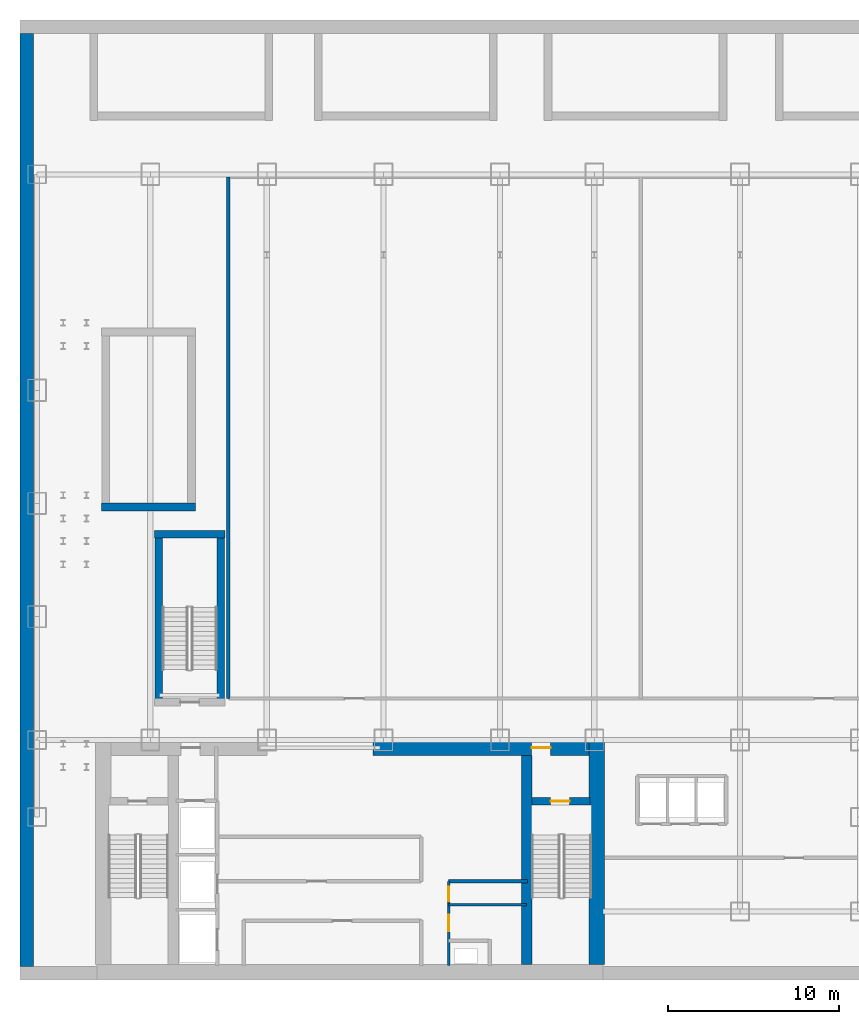
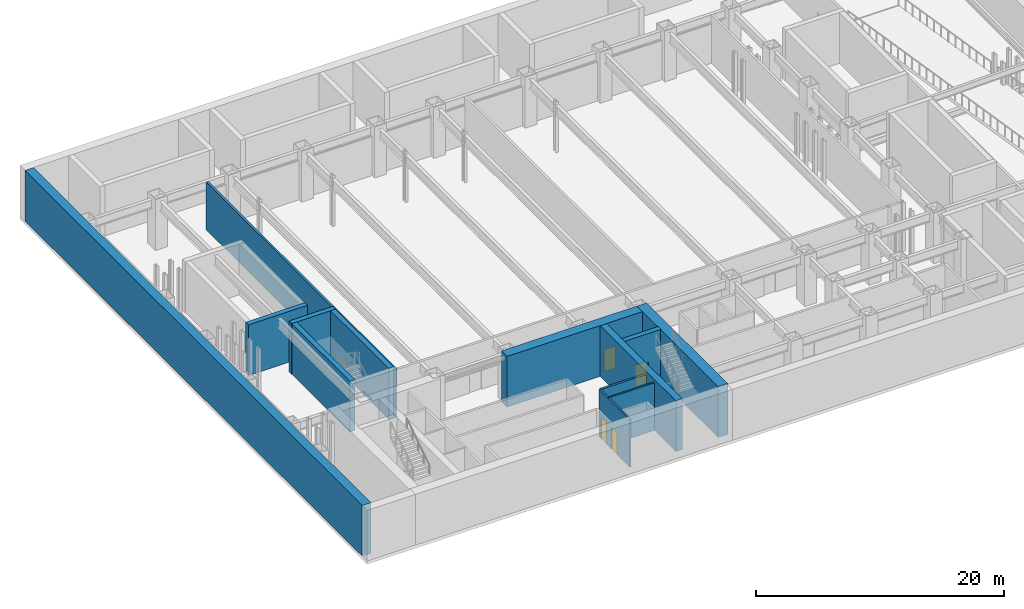
# One storey, part 9 of 16: 13 walls, 4 doors, 4 openings.
"""IFC4 building model written with IfcOpenShell, lengths in metres."""

from ifc_helpers import new_model, si_unit, derived_unit, direction, frame, frame_2d, origin, place, context, subcontext, project, spatial, rectangle, extrude, source, transform, mapped, material, layer, layer_set, type_object, element, fill, save


model = new_model("IFC4")

# Units and contexts
model_context = context("Model", 3, precision=1e-05, world=origin(), true_north=direction((0.0, 1.0)))
body_context = subcontext(model_context, "Body", "Model", "MODEL_VIEW")
ifc_project = project(units=[si_unit("LENGTHUNIT", "METRE"), si_unit("AREAUNIT", "SQUARE_METRE"), si_unit("VOLUMEUNIT", "CUBIC_METRE"), si_unit("PLANEANGLEUNIT", "RADIAN"), si_unit("MASSUNIT", "GRAM", prefix="KILO"), derived_unit("THERMALTRANSMITTANCEUNIT", [(si_unit("POWERUNIT", "WATT"), 1), (si_unit("LENGTHUNIT", "METRE"), -2), (si_unit("THERMODYNAMICTEMPERATUREUNIT", "KELVIN"), -1)])], contexts=[model_context])

# Site, building, storey
site_placement = place(None, origin())
site = spatial("IfcSite", under=ifc_project, at=site_placement, CompositionType="ELEMENT")
building_placement = place(site_placement, origin())
building = spatial("IfcBuilding", under=site, at=building_placement, Name="Skarnbrae Concourse Arena and Tower", CompositionType="ELEMENT")
storey_placement = place(building_placement, frame((0.0, 0.0, -5.0)))
storey = spatial("IfcBuildingStorey", under=building, at=storey_placement, Name="B01", CompositionType="ELEMENT", Elevation=-5.0)

# Walls
ifc_material_1 = material(Name="Concrete 50 MPa (C50/60)", Category="concrete")
ifc_layer_1 = layer(ifc_material_1, 0.800048828125)
ifc_layer_set_1 = layer_set([ifc_layer_1], Name="Concrete 50 MPa (C50/60)")
wall_type_1 = type_object("IfcWallType", Name="WALL-RETAINING-800", PredefinedType="USERDEFINED", material=ifc_layer_set_1)
shared_shape_1 = source(origin(), body_context, "Body", "SweptSolid", [
    extrude(rectangle(XDim=54.39990234375, YDim=0.800048828125, at=frame_2d((27.199951171875, 0.0))), origin(), (0.0, 0.0, 1.0), 5.0),
])
wall_1_placement = place(storey_placement, frame((0.39990234375, 0.800048828125, 0.0), z_axis=(0.0, 0.0, 1.0), x_axis=(0.0, 1.0, 0.0)))
element("IfcWall", 1, at=wall_1_placement, inside=storey, type_object=wall_type_1, Name="B01 Basement retaining wall RW-W", ObjectType="RETAINING WALL", PredefinedType="USERDEFINED", context=body_context, shape_type="MappedRepresentation", body=[
    mapped(shared_shape_1, transform((0.0, 0.0, 0.0))),
])
ifc_material_2 = material(Name="Concrete 70 MPa (C70/85)", Category="concrete")
ifc_layer_2 = layer(ifc_material_2, 0.89990234375)
ifc_layer_set_2 = layer_set([ifc_layer_2], Name="Concrete 70 MPa (C70/85)")
wall_type_2 = type_object("IfcWallType", Name="WALL-CORE-900-C70", PredefinedType="SHEAR", material=ifc_layer_set_2)
shared_shape_2 = source(origin(), body_context, "Body", "SweptSolid", [
    extrude(rectangle(XDim=13.10009765625, YDim=0.89990234375, at=frame_2d((6.550048828125, 0.0))), origin(), (0.0, 0.0, 1.0), 5.0),
])
wall_2_placement = place(storey_placement, frame((33.64990234375, 0.89990234375, 0.0), z_axis=(0.0, 0.0, 1.0), x_axis=(0.0, 1.0, 0.0)))
element("IfcWall", 2, at=wall_2_placement, inside=storey, type_object=wall_type_2, Name="B01 Rear core shear wall CW-E", PredefinedType="SHEAR", context=body_context, shape_type="MappedRepresentation", body=[
    mapped(shared_shape_2, transform((0.0, 0.0, 0.0))),
])
ifc_layer_3 = layer(ifc_material_2, 0.60009765625)
ifc_layer_set_3 = layer_set([ifc_layer_3], Name="Concrete 70 MPa (C70/85)")
wall_type_3 = type_object("IfcWallType", Name="WALL-CORE-600-C70", PredefinedType="SHEAR", material=ifc_layer_set_3)
shared_shape_3 = source(origin(), body_context, "Body", "SweptSolid", [
    extrude(rectangle(XDim=12.2001953125, YDim=0.60009765625, at=frame_2d((6.10009765625, 0.0))), origin(), (0.0, 0.0, 1.0), 5.0),
])
wall_3_placement = place(storey_placement, frame((29.56005859375, 0.89990234375, 0.0), z_axis=(0.0, 0.0, 1.0), x_axis=(0.0, 1.0, 0.0)))
element("IfcWall", 3, at=wall_3_placement, inside=storey, type_object=wall_type_3, Name="B01 Rear core shear wall CW-WEB-E", PredefinedType="SHEAR", context=body_context, shape_type="MappedRepresentation", body=[
    mapped(shared_shape_3, transform((0.0, 0.0, 0.0))),
])

# Wall, opening, door
shared_shape_4 = source(origin(), body_context, "Body", "SweptSolid", [
    extrude(rectangle(XDim=12.599853515625, YDim=0.89990234375, at=frame_2d((6.2998046875, 0.0))), origin(), (0.0, 0.0, 1.0), 5.0),
])
wall_4_placement = place(storey_placement, frame((20.60009765625, 13.550048828125, 0.0), z_axis=(0.0, 0.0, 1.0), x_axis=(1.0, 0.0, 0.0)))
wall_4 = element("IfcWall", 4, at=wall_4_placement, inside=storey, type_object=wall_type_2, Name="B01 Rear core shear wall CW-NE", PredefinedType="SHEAR", context=body_context, shape_type="MappedRepresentation", body=[
    mapped(shared_shape_4, transform((0.0, 0.0, 0.0))),
])
opening_1_placement = place(wall_4_placement, frame((9.25, 0.0, 0.0)))
opening_1 = element("IfcOpeningElement", 5, at=opening_1_placement, cuts=wall_4, Name="Opening DT-03", PredefinedType="OPENING", context=body_context, shape_type="SweptSolid", body=[
    extrude(rectangle(XDim=1.10009765625, YDim=2.14990234375, at=frame_2d((0.550048828125, 1.074951171875))), frame((0.0, 0.4599609375, 0.0), z_axis=(0.0, -1.0, 0.0), x_axis=(1.0, 0.0, 0.0)), (0.0, 0.0, 1.0), 0.919921875),
])
ifc_material_3 = material(Name="Steel CSA G40.21 350W", Category="steel")
door_type_1 = type_object("IfcDoorType", Name="DOOR-FIRE-1100-90M", OperationType="NOTDEFINED", PredefinedType="DOOR", material=ifc_material_3)
shared_shape_5 = source(origin(), body_context, "Body", "SweptSolid", [
    extrude(rectangle(XDim=1.10009765625, YDim=2.14990234375, at=frame_2d((0.550048828125, 1.074951171875))), frame((0.0, 0.02490234375, 0.0), z_axis=(0.0, -1.0, 0.0), x_axis=(1.0, 0.0, 0.0)), (0.0, 0.0, 1.0), 0.050048828125),
])
door_1_placement = place(opening_1_placement, origin())
door_1 = element("IfcDoor", 6, at=door_1_placement, inside=storey, type_object=door_type_1, Name="D-0126 Stair ST-2 Vestibule Door", OperationType="SINGLE_SWING_LEFT", OverallHeight=2.14990234375, OverallWidth=1.10009765625, PredefinedType="DOOR", context=body_context, shape_type="MappedRepresentation", body=[
    mapped(shared_shape_5, transform((0.0, 0.0, 0.0))),
])
fill(opening_1, door_1)

ifc_layer_4 = layer(ifc_material_1, 0.449951171875)
ifc_layer_set_4 = layer_set([ifc_layer_4], Name="Concrete 50 MPa (C50/60)")
wall_type_4 = type_object("IfcWallType", Name="WALL-CORE-450-C50", PredefinedType="SHEAR", material=ifc_layer_set_4)
shared_shape_6 = source(origin(), body_context, "Body", "SweptSolid", [
    extrude(rectangle(XDim=3.389892578125, YDim=0.449951171875, at=frame_2d((1.69482421875, 0.0))), origin(), (0.0, 0.0, 1.0), 5.0),
])
wall_5_placement = place(storey_placement, frame((29.860107421875, 10.419921875, 0.0), z_axis=(0.0, 0.0, 1.0), x_axis=(1.0, 0.0, 0.0)))
wall_5 = element("IfcWall", 7, at=wall_5_placement, inside=storey, type_object=wall_type_4, Name="B01 Rear core shear wall CW-ST2-N", PredefinedType="SHEAR", context=body_context, shape_type="MappedRepresentation", body=[
    mapped(shared_shape_6, transform((0.0, 0.0, 0.0))),
])
opening_2_placement = place(wall_5_placement, frame((1.10009765625, 0.0, 0.0)))
opening_2 = element("IfcOpeningElement", 8, at=opening_2_placement, cuts=wall_5, Name="Opening DT-03", PredefinedType="OPENING", context=body_context, shape_type="SweptSolid", body=[
    extrude(rectangle(XDim=1.10009765625, YDim=2.14990234375, at=frame_2d((0.550048828125, 1.074951171875))), frame((0.0, 0.23486328125, 0.0), z_axis=(0.0, -1.0, 0.0), x_axis=(1.0, 0.0, 0.0)), (0.0, 0.0, 1.0), 0.469970703125),
])
door_2_placement = place(opening_2_placement, frame((1.10009765625, 0.0, 0.0), z_axis=(0.0, 0.0, 1.0), x_axis=(-1.0, 0.0, 0.0)))
door_2 = element("IfcDoor", 9, at=door_2_placement, inside=storey, type_object=door_type_1, Name="D-0124 Stair ST-2 Door", OperationType="SINGLE_SWING_RIGHT", OverallHeight=2.14990234375, OverallWidth=1.10009765625, PredefinedType="DOOR", context=body_context, shape_type="MappedRepresentation", body=[
    mapped(shared_shape_5, transform((0.0, 0.0, 0.0))),
])
fill(opening_2, door_2)

# Walls
shared_shape_7 = source(origin(), body_context, "Body", "SweptSolid", [
    extrude(rectangle(XDim=4.099853515625, YDim=0.449951171875, at=frame_2d((2.0498046875, 0.0))), origin(), (0.0, 0.0, 1.0), 5.0),
])
wall_6_placement = place(storey_placement, frame((7.85009765625, 26.0048828125, 0.0), z_axis=(0.0, 0.0, 1.0), x_axis=(1.0, 0.0, 0.0)))
element("IfcWall", 10, at=wall_6_placement, inside=storey, type_object=wall_type_4, Name="B01 Protected stair shaft wall ST-B3-N", PredefinedType="SHEAR", context=body_context, shape_type="MappedRepresentation", body=[
    mapped(shared_shape_7, transform((0.0, 0.0, 0.0))),
])
shared_shape_8 = source(origin(), body_context, "Body", "SweptSolid", [
    extrude(rectangle(XDim=5.5, YDim=0.449951171875, at=frame_2d((2.75, 0.0))), origin(), (0.0, 0.0, 1.0), 5.0),
])
wall_7_placement = place(storey_placement, frame((4.75, 27.594970703125, 0.0), z_axis=(0.0, 0.0, 1.0), x_axis=(1.0, 0.0, 0.0)))
element("IfcWall", 11, at=wall_7_placement, inside=storey, type_object=wall_type_4, Name="B01 Protected stair shaft wall ST-A3-S", PredefinedType="SHEAR", context=body_context, shape_type="MappedRepresentation", body=[
    mapped(shared_shape_8, transform((0.0, 0.0, 0.0))),
])
shared_shape_9 = source(origin(), body_context, "Body", "SweptSolid", [
    extrude(rectangle(XDim=9.400146484375, YDim=0.449951171875, at=frame_2d((4.7001953125, 0.0))), origin(), (0.0, 0.0, 1.0), 5.0),
])
for number, where, z_axis, x_axis, name in (
    (12, (8.094970703125, 16.39990234375, 0.0), (0.0, 0.0, 1.0), (0.0, 1.0, 0.0), "B01 Protected stair shaft wall ST-B3-W"),
    (13, (11.705078125, 16.39990234375, 0.0), (0.0, 0.0, 1.0), (0.0, 1.0, 0.0), "B01 Protected stair shaft wall ST-B3-E"),
):
    element("IfcWall", number, at=place(storey_placement, frame(where, z_axis=z_axis, x_axis=x_axis)), inside=storey, type_object=wall_type_4, Name=name, PredefinedType="SHEAR", context=body_context, shape_type="MappedRepresentation", body=[
        mapped(shared_shape_9, transform((0.0, 0.0, 0.0))),
    ])

# Wall, openings, doors
ifc_material_4 = material(Name="Gypsum board on cold-formed steel studs", Category="steel")
ifc_layer_5 = layer(ifc_material_4, 0.14990234375)
ifc_layer_set_5 = layer_set([ifc_layer_5], Name="Gypsum board on cold-formed steel studs")
wall_type_5 = type_object("IfcWallType", Name="WALL-PART-150-1HR", PredefinedType="PARTITIONING", material=ifc_layer_set_5)
shared_shape_10 = source(origin(), body_context, "Body", "SweptSolid", [
    extrude(rectangle(XDim=4.89990234375, YDim=0.14990234375, at=frame_2d((2.449951171875, 0.0))), origin(), (0.0, 0.0, 1.0), 4.699951171875),
])
wall_8_placement = place(storey_placement, frame((25.0, 0.85009765625, 0.0), z_axis=(0.0, 0.0, 1.0), x_axis=(0.0, 1.0, 0.0)))
wall_8 = element("IfcWall", 14, at=wall_8_placement, inside=storey, type_object=wall_type_5, Name="B01 Interior partition wall W-B01-CSV-W", PredefinedType="PARTITIONING", context=body_context, shape_type="MappedRepresentation", body=[
    mapped(shared_shape_10, transform((0.0, 0.0, 0.0))),
])
opening_3_placement = place(wall_8_placement, frame((2.0, 0.0, 0.0)))
opening_3 = element("IfcOpeningElement", 15, at=opening_3_placement, cuts=wall_8, Name="Opening DT-04", PredefinedType="OPENING", context=body_context, shape_type="SweptSolid", body=[
    extrude(rectangle(XDim=0.949951171875, YDim=2.14990234375, at=frame_2d((0.47509765625, 1.074951171875))), frame((0.0, 0.0849609375, 0.0), z_axis=(0.0, -1.0, 0.0), x_axis=(1.0, 0.0, 0.0)), (0.0, 0.0, 1.0), 0.169921875),
])
opening_4_placement = place(wall_8_placement, frame((3.75, 0.0, 0.0)))
opening_4 = element("IfcOpeningElement", 16, at=opening_4_placement, cuts=wall_8, Name="Opening DT-08", PredefinedType="OPENING", context=body_context, shape_type="SweptSolid", body=[
    extrude(rectangle(XDim=0.85009765625, YDim=2.14990234375, at=frame_2d((0.425048828125, 1.074951171875))), frame((0.0, 0.0849609375, 0.0), z_axis=(0.0, -1.0, 0.0), x_axis=(1.0, 0.0, 0.0)), (0.0, 0.0, 1.0), 0.169921875),
])
door_type_2 = type_object("IfcDoorType", Name="DOOR-INT-950-45M", OperationType="NOTDEFINED", PredefinedType="DOOR", material=ifc_material_3)
shared_shape_11 = source(origin(), body_context, "Body", "SweptSolid", [
    extrude(rectangle(XDim=0.949951171875, YDim=2.14990234375, at=frame_2d((0.47509765625, 1.074951171875))), frame((0.0, 0.02490234375, 0.0), z_axis=(0.0, -1.0, 0.0), x_axis=(1.0, 0.0, 0.0)), (0.0, 0.0, 1.0), 0.050048828125),
])
door_3_placement = place(opening_3_placement, origin())
door_3 = element("IfcDoor", 17, at=door_3_placement, inside=storey, type_object=door_type_2, Name="D-0132 Telemetry Room Door", OperationType="SINGLE_SWING_LEFT", OverallHeight=2.14990234375, OverallWidth=0.949951171875, PredefinedType="DOOR", context=body_context, shape_type="MappedRepresentation", body=[
    mapped(shared_shape_11, transform((0.0, 0.0, 0.0))),
])
fill(opening_3, door_3)
door_type_3 = type_object("IfcDoorType", Name="DOOR-INT-850-45M", OperationType="NOTDEFINED", PredefinedType="DOOR", material=ifc_material_3)
shared_shape_12 = source(origin(), body_context, "Body", "SweptSolid", [
    extrude(rectangle(XDim=0.85009765625, YDim=2.14990234375, at=frame_2d((0.425048828125, 1.074951171875))), frame((0.0, 0.02490234375, 0.0), z_axis=(0.0, -1.0, 0.0), x_axis=(1.0, 0.0, 0.0)), (0.0, 0.0, 1.0), 0.050048828125),
])
door_4_placement = place(opening_4_placement, origin())
door_4 = element("IfcDoor", 18, at=door_4_placement, inside=storey, type_object=door_type_3, Name="D-0133 Recycling Room Door", OperationType="SINGLE_SWING_RIGHT", OverallHeight=2.14990234375, OverallWidth=0.85009765625, PredefinedType="DOOR", context=body_context, shape_type="MappedRepresentation", body=[
    mapped(shared_shape_12, transform((0.0, 0.0, 0.0))),
])
fill(opening_4, door_4)

# Walls
ifc_layer_6 = layer(ifc_material_4, 0.199951171875)
ifc_layer_set_6 = layer_set([ifc_layer_6], Name="Gypsum board on cold-formed steel studs")
wall_type_6 = type_object("IfcWallType", Name="WALL-PART-200-2HR", PredefinedType="PARTITIONING", material=ifc_layer_set_6)
shared_shape_13 = source(origin(), body_context, "Body", "SweptSolid", [
    extrude(rectangle(XDim=4.60009765625, YDim=0.199951171875, at=frame_2d((2.300048828125, 0.0))), origin(), (0.0, 0.0, 1.0), 4.699951171875),
])
wall_9_placement = place(storey_placement, frame((25.0, 5.75, 0.0), z_axis=(0.0, 0.0, 1.0), x_axis=(1.0, 0.0, 0.0)))
element("IfcWall", 19, at=wall_9_placement, inside=storey, type_object=wall_type_6, Name="B01 Interior partition wall W-B01-CSV-N", PredefinedType="PARTITIONING", context=body_context, shape_type="MappedRepresentation", body=[
    mapped(shared_shape_13, transform((0.0, 0.0, 0.0))),
])
ifc_layer_7 = layer(ifc_material_4, 0.14990234375)
ifc_layer_set_7 = layer_set([ifc_layer_7], Name="Gypsum board on cold-formed steel studs")
wall_type_7 = type_object("IfcWallType", Name="WALL-PART-150", PredefinedType="PARTITIONING", material=ifc_layer_set_7)
shared_shape_14 = source(origin(), body_context, "Body", "SweptSolid", [
    extrude(rectangle(XDim=4.550048828125, YDim=0.14990234375, at=frame_2d((2.27490234375, 0.0))), origin(), (0.0, 0.0, 1.0), 4.699951171875),
])
wall_10_placement = place(storey_placement, frame((25.0, 4.39990234375, 0.0), z_axis=(0.0, 0.0, 1.0), x_axis=(1.0, 0.0, 0.0)))
element("IfcWall", 20, at=wall_10_placement, inside=storey, type_object=wall_type_7, Name="B01 Interior partition wall W-B01-CSV-H", PredefinedType="PARTITIONING", context=body_context, shape_type="MappedRepresentation", body=[
    mapped(shared_shape_14, transform((0.0, 0.0, 0.0))),
])
shared_shape_15 = source(origin(), body_context, "Body", "SweptSolid", [
    extrude(rectangle(XDim=30.43017578125, YDim=0.199951171875, at=frame_2d((15.215087890625, 0.0))), origin(), (0.0, 0.0, 1.0), 4.699951171875),
])
wall_11_placement = place(storey_placement, frame((12.14990234375, 16.419921875, 0.0), z_axis=(0.0, 0.0, 1.0), x_axis=(0.0, 1.0, 0.0)))
element("IfcWall", 21, at=wall_11_placement, inside=storey, type_object=wall_type_6, Name="B01 Interior partition wall W-B01-BC-W", PredefinedType="PARTITIONING", context=body_context, shape_type="MappedRepresentation", body=[
    mapped(shared_shape_15, transform((0.0, 0.0, 0.0))),
])

save(model, "model.ifc")
